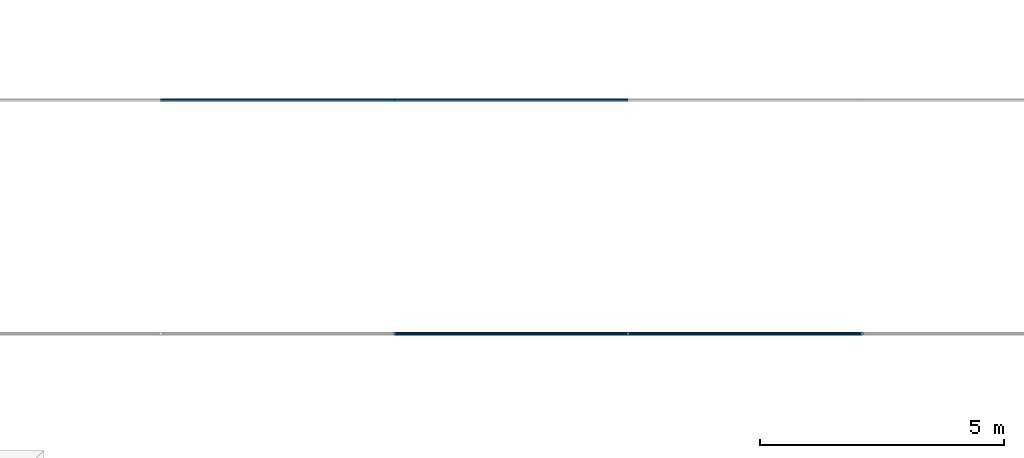
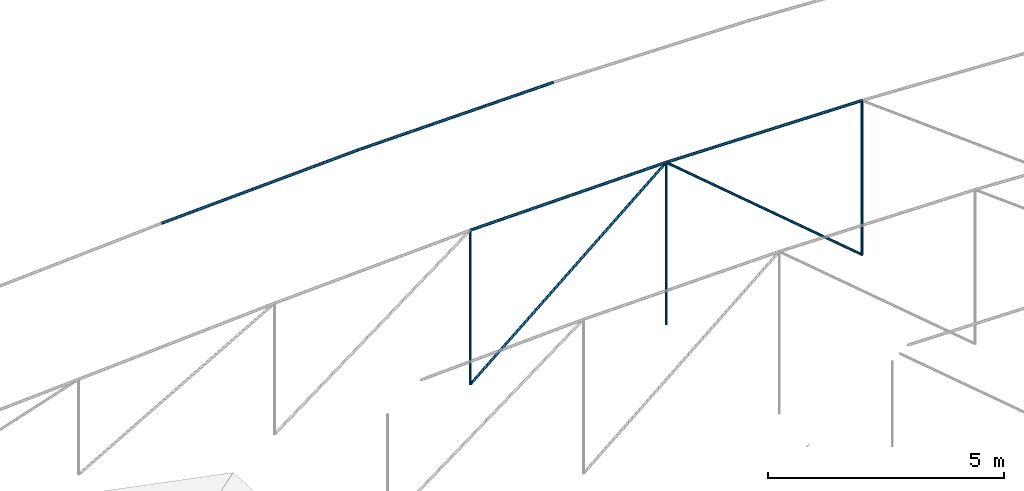
# One storey, part 32 of 50: 9 members.
"""IFC4 building model written with IfcOpenShell, lengths in metres."""

from ifc_helpers import new_model, si_unit, direction, frame, origin, origin_2d, place, context, subcontext, project, spatial, circle, extrude, material, material_profile, profile_set, type_object, element, save


model = new_model("IFC4")

# Units and contexts
model_context = context("Model", 3, precision=1e-05, world=origin(), true_north=direction((0.0, 1.0)))
body_context = subcontext(model_context, "Body", "Model", "MODEL_VIEW")
ifc_project = project(units=[si_unit("LENGTHUNIT", "METRE"), si_unit("AREAUNIT", "SQUARE_METRE"), si_unit("VOLUMEUNIT", "CUBIC_METRE"), si_unit("PLANEANGLEUNIT", "RADIAN"), si_unit("MASSUNIT", "GRAM", prefix="KILO")], contexts=[model_context])

# Site, building, storey
site_placement = place(None, origin())
site = spatial("IfcSite", under=ifc_project, at=site_placement, CompositionType="ELEMENT")
building_placement = place(site_placement, origin())
building = spatial("IfcBuilding", under=site, at=building_placement, Name="Zevrakil Square Congress Hotel", CompositionType="ELEMENT")
storey_placement = place(building_placement, frame((0.0, 0.0, 21.5)))
storey = spatial("IfcBuildingStorey", under=building, at=storey_placement, Name="L06", CompositionType="ELEMENT", Elevation=21.5)

# Members
ifc_material_1 = material(Name="Steel S355", Category="steel")
ifc_material_profile_1 = material_profile(ifc_material_1, circle(Radius=0.030029296875, at=origin_2d()), Name="CABLE RD60")
ifc_profile_set_1 = profile_set([ifc_material_profile_1], Name="Steel S355")
member_type_1 = type_object("IfcMemberType", Name="MEM-CABLE-RD60", PredefinedType="USERDEFINED", material=ifc_profile_set_1)
member_1_placement = place(storey_placement, frame((136.800048828125, 103.199951171875, -1.902099609375), z_axis=(0.0, 0.0, 1.0), x_axis=(1.0, 0.0, 0.0)))
element("IfcMember", 1, at=member_1_placement, inside=storey, type_object=member_type_1, Name="Congress cable-truss vertical tie CBW-08-4", ObjectType="ROOF CABLE", PredefinedType="USERDEFINED", context=body_context, shape_type="SweptSolid", body=[
    extrude(circle(Radius=0.030029296875, at=origin_2d()), origin(), (0.0, 0.0, 1.0), 3.994384765625),
])
member_2_placement = place(storey_placement, frame((136.800048828125, 103.199951171875, -1.902099609375), z_axis=(0.76256769405, 0.0, 0.646908426279), x_axis=(0.0, 1.0, 0.0)))
element("IfcMember", 2, at=member_2_placement, inside=storey, type_object=member_type_1, Name="Congress cable-truss web diagonal CBD-08-5", ObjectType="ROOF CABLE", PredefinedType="USERDEFINED", context=body_context, shape_type="SweptSolid", body=[
    extrude(circle(Radius=0.030029296875, at=origin_2d()), origin(), (0.0, 0.0, 1.0), 6.294677734375),
])
member_3_placement = place(storey_placement, frame((141.60009765625, 103.199951171875, -2.030029296875), z_axis=(0.0, 0.0, 1.0), x_axis=(1.0, 0.0, 0.0)))
element("IfcMember", 3, at=member_3_placement, inside=storey, type_object=member_type_1, Name="Congress cable-truss vertical tie CBW-08-5", ObjectType="ROOF CABLE", PredefinedType="USERDEFINED", context=body_context, shape_type="SweptSolid", body=[
    extrude(circle(Radius=0.030029296875, at=origin_2d()), origin(), (0.0, 0.0, 1.0), 4.199951171875),
])
member_4_placement = place(storey_placement, frame((146.39990234375, 103.199951171875, -1.902099609375), z_axis=(-0.762551461839, 0.0, 0.646927560123), x_axis=(0.0, -1.0, 0.0)))
element("IfcMember", 4, at=member_4_placement, inside=storey, type_object=member_type_1, Name="Congress cable-truss web diagonal CBD-08-6", ObjectType="ROOF CABLE", PredefinedType="USERDEFINED", context=body_context, shape_type="SweptSolid", body=[
    extrude(circle(Radius=0.030029296875, at=origin_2d()), origin(), (0.0, 0.0, 1.0), 6.29443359375),
])
member_5_placement = place(storey_placement, frame((146.39990234375, 103.199951171875, -1.902099609375), z_axis=(0.0, 0.0, 1.0), x_axis=(1.0, 0.0, 0.0)))
element("IfcMember", 5, at=member_5_placement, inside=storey, type_object=member_type_1, Name="Congress cable-truss vertical tie CBW-08-6", ObjectType="ROOF CABLE", PredefinedType="USERDEFINED", context=body_context, shape_type="SweptSolid", body=[
    extrude(circle(Radius=0.030029296875, at=origin_2d()), origin(), (0.0, 0.0, 1.0), 3.994384765625),
])
ifc_material_2 = material(Name="Steel S355", Category="steel")
ifc_material_profile_2 = material_profile(ifc_material_2, circle(Radius=0.033935546875, at=origin_2d()), Name="CABLE RD68")
ifc_profile_set_2 = profile_set([ifc_material_profile_2], Name="Steel S355")
member_type_2 = type_object("IfcMemberType", Name="MEM-CABLE-RD68", PredefinedType="USERDEFINED", material=ifc_profile_set_2)
member_6_placement = place(storey_placement, frame((136.800048828125, 103.199951171875, 2.09228515625), z_axis=(0.999869224064, 0.0, 0.016172036684), x_axis=(0.0, 1.0, 0.0)))
element("IfcMember", 6, at=member_6_placement, inside=storey, type_object=member_type_2, Name="Congress lenticular upper cable chord CBU-08 seg 5", ObjectType="ROOF CABLE", PredefinedType="USERDEFINED", context=body_context, shape_type="SweptSolid", body=[
    extrude(circle(Radius=0.033935546875, at=origin_2d()), origin(), (0.0, 0.0, 1.0), 4.80078125),
])
member_7_placement = place(storey_placement, frame((141.60009765625, 103.199951171875, 2.169921875), z_axis=(0.999869210762, 0.0, -0.016172859055), x_axis=(0.0, 1.0, 0.0)))
element("IfcMember", 7, at=member_7_placement, inside=storey, type_object=member_type_2, Name="Congress lenticular upper cable chord CBU-08 seg 6", ObjectType="ROOF CABLE", PredefinedType="USERDEFINED", context=body_context, shape_type="SweptSolid", body=[
    extrude(circle(Radius=0.033935546875, at=origin_2d()), origin(), (0.0, 0.0, 1.0), 4.800537109375),
])
member_8_placement = place(storey_placement, frame((132.0, 108.0, 1.039794921875), z_axis=(0.99902015714, 0.0, 0.044257492339), x_axis=(0.0, 1.0, 0.0)))
element("IfcMember", 8, at=member_8_placement, inside=storey, type_object=member_type_2, Name="Congress lenticular upper cable chord CBU-09 seg 4", ObjectType="ROOF CABLE", PredefinedType="USERDEFINED", context=body_context, shape_type="SweptSolid", body=[
    extrude(circle(Radius=0.033935546875, at=origin_2d()), origin(), (0.0, 0.0, 1.0), 4.8046875),
])
member_9_placement = place(storey_placement, frame((136.800048828125, 108.0, 1.25244140625), z_axis=(0.999869224064, 0.0, 0.016172036684), x_axis=(0.0, 1.0, 0.0)))
element("IfcMember", 9, at=member_9_placement, inside=storey, type_object=member_type_2, Name="Congress lenticular upper cable chord CBU-09 seg 5", ObjectType="ROOF CABLE", PredefinedType="USERDEFINED", context=body_context, shape_type="SweptSolid", body=[
    extrude(circle(Radius=0.033935546875, at=origin_2d()), origin(), (0.0, 0.0, 1.0), 4.80078125),
])

save(model, "model.ifc")
